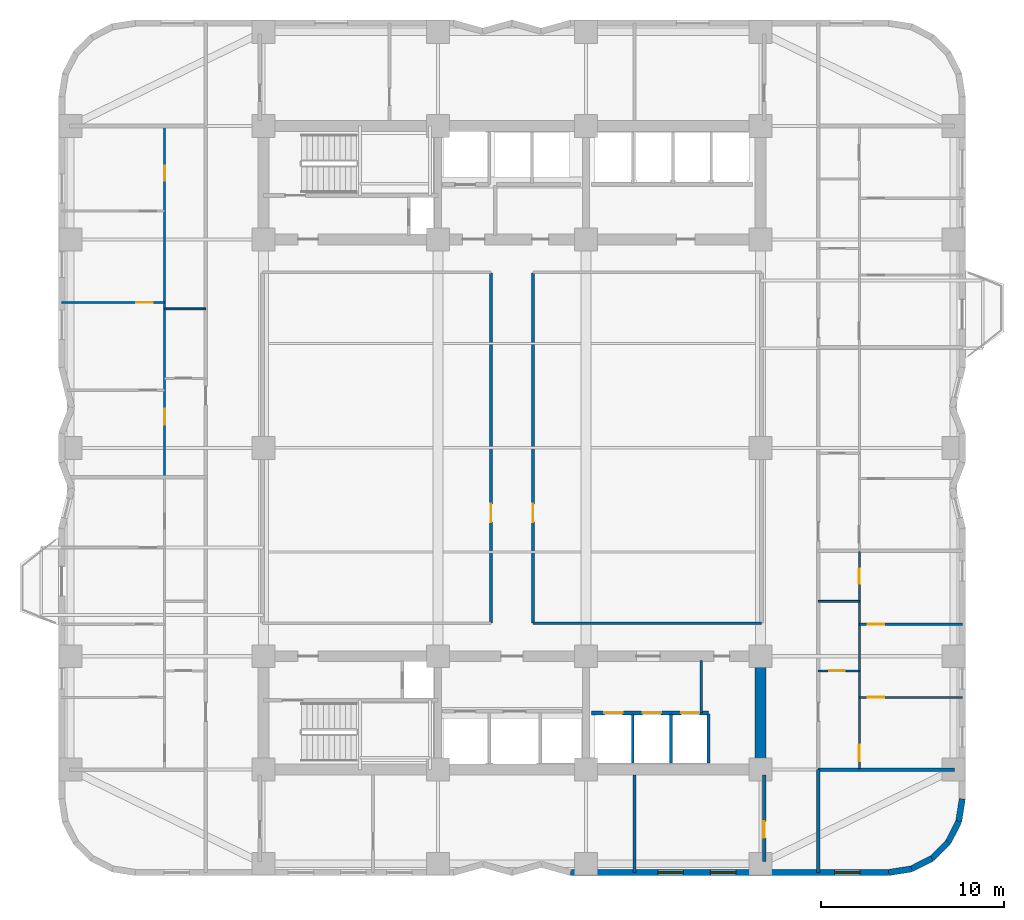
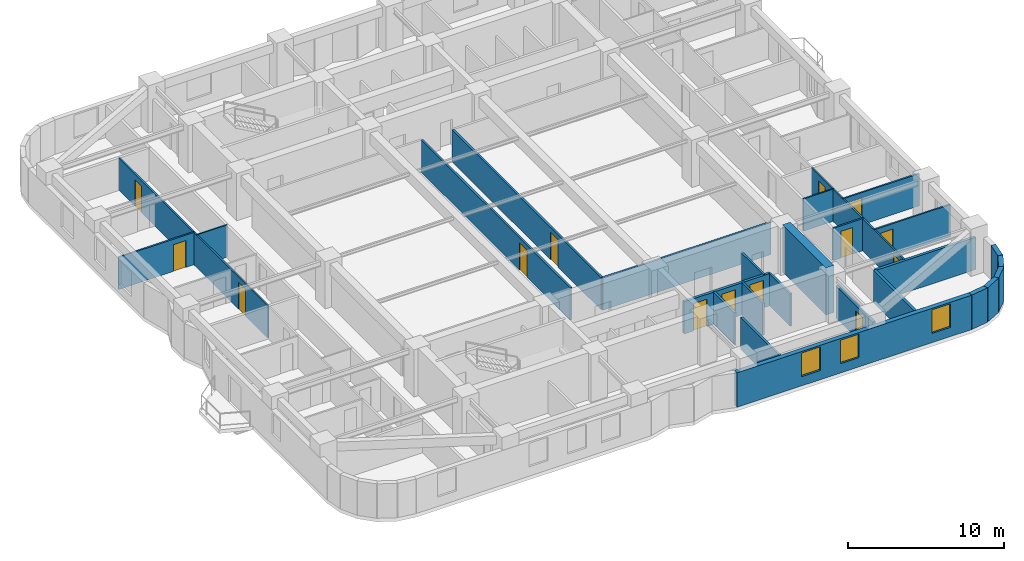
# One storey, part 4 of 9: 27 walls, 14 doors, 3 windows, 17 openings.
"""IFC4 building model written with IfcOpenShell, lengths in metres."""

from ifc_helpers import new_model, si_unit, direction, frame, frame_2d, origin, place, context, subcontext, project, spatial, rectangle, extrude, material, layer, layer_set, type_object, element, fill, save


model = new_model("IFC4")

# Units and contexts
model_context = context("Model", 3, precision=1e-05, world=origin(), true_north=direction((0.0, 1.0)))
body_context = subcontext(model_context, "Body", "Model", "MODEL_VIEW")
ifc_project = project(units=[si_unit("LENGTHUNIT", "METRE"), si_unit("AREAUNIT", "SQUARE_METRE"), si_unit("VOLUMEUNIT", "CUBIC_METRE"), si_unit("PLANEANGLEUNIT", "RADIAN"), si_unit("MASSUNIT", "GRAM", prefix="KILO")], contexts=[model_context])

# Site, building, storey
site_placement = place(None, origin())
site = spatial("IfcSite", under=ifc_project, at=site_placement, CompositionType="ELEMENT")
building_placement = place(site_placement, origin())
building = spatial("IfcBuilding", under=site, at=building_placement, Name="Svetorya Sky Lyceum", CompositionType="ELEMENT")
storey_placement = place(building_placement, frame((0.0, 0.0, 32.5)))
storey = spatial("IfcBuildingStorey", under=building, at=storey_placement, Name="L07", CompositionType="ELEMENT", Elevation=32.5)

# Wall
ifc_material_1 = material(Name="Concrete C60/75", Category="concrete")
ifc_layer_1 = layer(ifc_material_1, 0.60009765625)
ifc_layer_set_1 = layer_set([ifc_layer_1], Name="Concrete C60/75")
wall_type_1 = type_object("IfcWallType", Name="WL-CORE-600", PredefinedType="SHEAR", material=ifc_layer_set_1)
wall_1_placement = place(storey_placement, frame((52.800048828125, 10.89990234375, 0.0), z_axis=(0.0, 0.0, 1.0), x_axis=(0.0, 1.0, 0.0)))
element("IfcWall", 1, at=wall_1_placement, inside=storey, type_object=wall_type_1, Name="L07 SC East Core Shear Wall", PredefinedType="SHEAR", context=body_context, shape_type="SweptSolid", body=[
    extrude(rectangle(XDim=5.60009765625, YDim=0.60009765625, at=frame_2d((2.800048828125, 0.0))), origin(), (0.0, 0.0, 1.0), 3.699951171875),
])

# Wall, openings, windows
ifc_material_2 = material(Name="Putilovo limestone rainscreen on autoclaved cellular masonry", Category="masonry")
ifc_layer_2 = layer(ifc_material_2, 0.340087890625)
ifc_layer_set_2 = layer_set([ifc_layer_2], Name="Putilovo limestone rainscreen on autoclaved cellular masonry")
wall_type_2 = type_object("IfcWallType", Name="WL-EXT-340", PredefinedType="SOLIDWALL", material=ifc_layer_set_2)
wall_2_placement = place(storey_placement, frame((42.39990234375, 4.969970703125, 0.0), z_axis=(0.0, 0.0, 1.0), x_axis=(1.0, 0.0, 0.0)))
wall_2 = element("IfcWall", 2, at=wall_2_placement, inside=storey, type_object=wall_type_2, Name="L07 Limestone Exterior Wall 11M", PredefinedType="SOLIDWALL", context=body_context, shape_type="SweptSolid", body=[
    extrude(rectangle(XDim=17.400146484375, YDim=0.340087890625, at=frame_2d((8.7001953125, 0.0))), origin(), (0.0, 0.0, 1.0), 2.699951171875),
])
opening_1_placement = place(wall_2_placement, frame((4.780029296875, 0.0, 0.72998046875)))
opening_1 = element("IfcOpeningElement", 3, at=opening_1_placement, cuts=wall_2, Name="Opening W-R2", PredefinedType="OPENING", context=body_context, shape_type="SweptSolid", body=[
    extrude(rectangle(XDim=1.39990234375, YDim=1.85009765625, at=frame_2d((0.699951171875, 0.925048828125))), frame((0.0, 0.179931640625, 0.0), z_axis=(0.0, -1.0, 0.0), x_axis=(1.0, 0.0, 0.0)), (0.0, 0.0, 1.0), 0.360107421875),
])
opening_2_placement = place(wall_2_placement, frame((7.64990234375, 0.0, 0.72998046875)))
opening_2 = element("IfcOpeningElement", 4, at=opening_2_placement, cuts=wall_2, Name="Opening W-R2", PredefinedType="OPENING", context=body_context, shape_type="SweptSolid", body=[
    extrude(rectangle(XDim=1.39990234375, YDim=1.85009765625, at=frame_2d((0.699951171875, 0.925048828125))), frame((0.0, 0.179931640625, 0.0), z_axis=(0.0, -1.0, 0.0), x_axis=(1.0, 0.0, 0.0)), (0.0, 0.0, 1.0), 0.360107421875),
])
opening_3_placement = place(wall_2_placement, frame((14.43994140625, 0.0, 0.72998046875)))
opening_3 = element("IfcOpeningElement", 5, at=opening_3_placement, cuts=wall_2, Name="Opening W-R2", PredefinedType="OPENING", context=body_context, shape_type="SweptSolid", body=[
    extrude(rectangle(XDim=1.39990234375, YDim=1.85009765625, at=frame_2d((0.699951171875, 0.925048828125))), frame((0.0, 0.179931640625, 0.0), z_axis=(0.0, -1.0, 0.0), x_axis=(1.0, 0.0, 0.0)), (0.0, 0.0, 1.0), 0.360107421875),
])
ifc_material_3 = material(Name="Thermally broken aluminium frame with triple low-E glazing", Category="aluminium")
window_type = type_object("IfcWindowType", Name="WN-RES-140", PartitioningType="SINGLE_PANEL", PredefinedType="WINDOW", material=ifc_material_3)
window_1_placement = place(opening_1_placement, origin())
window_1 = element("IfcWindow", 6, at=window_1_placement, inside=storey, type_object=window_type, Name="L07 Facade Window W-R2.11M.1", OverallHeight=1.85009765625, OverallWidth=1.39990234375, PartitioningType="SINGLE_PANEL", PredefinedType="WINDOW", context=body_context, shape_type="SweptSolid", body=[
    extrude(rectangle(XDim=1.39990234375, YDim=1.85009765625, at=frame_2d((0.699951171875, 0.925048828125))), frame((0.0, 0.030029296875, 0.0), z_axis=(0.0, -1.0, 0.0), x_axis=(1.0, 0.0, 0.0)), (0.0, 0.0, 1.0), 0.06005859375),
])
fill(opening_1, window_1)
window_2_placement = place(opening_2_placement, origin())
window_2 = element("IfcWindow", 7, at=window_2_placement, inside=storey, type_object=window_type, Name="L07 Facade Window W-R2.11M.2", OverallHeight=1.85009765625, OverallWidth=1.39990234375, PartitioningType="SINGLE_PANEL", PredefinedType="WINDOW", context=body_context, shape_type="SweptSolid", body=[
    extrude(rectangle(XDim=1.39990234375, YDim=1.85009765625, at=frame_2d((0.699951171875, 0.925048828125))), frame((0.0, 0.030029296875, 0.0), z_axis=(0.0, -1.0, 0.0), x_axis=(1.0, 0.0, 0.0)), (0.0, 0.0, 1.0), 0.06005859375),
])
fill(opening_2, window_2)
window_3_placement = place(opening_3_placement, origin())
window_3 = element("IfcWindow", 8, at=window_3_placement, inside=storey, type_object=window_type, Name="L07 Facade Window W-R2.11M.3", OverallHeight=1.85009765625, OverallWidth=1.39990234375, PartitioningType="SINGLE_PANEL", PredefinedType="WINDOW", context=body_context, shape_type="SweptSolid", body=[
    extrude(rectangle(XDim=1.39990234375, YDim=1.85009765625, at=frame_2d((0.699951171875, 0.925048828125))), frame((0.0, 0.030029296875, 0.0), z_axis=(0.0, -1.0, 0.0), x_axis=(1.0, 0.0, 0.0)), (0.0, 0.0, 1.0), 0.06005859375),
])
fill(opening_3, window_3)

# Walls
wall_3_placement = place(storey_placement, frame((59.800048828125, 4.969970703125, 0.0), z_axis=(0.0, 0.0, 1.0), x_axis=(0.987685918112, 0.15644975923, 0.0)))
element("IfcWall", 9, at=wall_3_placement, inside=storey, type_object=wall_type_2, Name="L07 Limestone Exterior Wall 12M", PredefinedType="SOLIDWALL", context=body_context, shape_type="SweptSolid", body=[
    extrude(rectangle(XDim=1.260986328125, YDim=0.340087890625, at=frame_2d((0.63037109375, 0.0))), origin(), (0.0, 0.0, 1.0), 2.699951171875),
])
for number, where, z_axis, x_axis, name in (
    (10, (61.04541015625, 5.167236328125, 0.0), (0.0, 0.0, 1.0), (0.890953769915, 0.454094020963, 0.0), "L07 Limestone Exterior Wall 13M"),
    (11, (62.168701171875, 5.73974609375, 0.0), (0.0, 0.0, 1.0), (0.707203598708, 0.707009950407, 0.0), "L07 Limestone Exterior Wall 14M"),
):
    element("IfcWall", number, at=place(storey_placement, frame(where, z_axis=z_axis, x_axis=x_axis)), inside=storey, type_object=wall_type_2, Name=name, PredefinedType="SOLIDWALL", context=body_context, shape_type="SweptSolid", body=[
        extrude(rectangle(XDim=1.2607421875, YDim=0.340087890625, at=frame_2d((0.63037109375, 0.0))), origin(), (0.0, 0.0, 1.0), 2.699951171875),
    ])
for number, where, z_axis, x_axis, name in (
    (12, (63.060302734375, 6.631103515625, 0.0), (0.0, 0.0, 1.0), (0.454015689056, 0.890993689142, 0.0), "L07 Limestone Exterior Wall 15M"),
    (13, (63.6328125, 7.754638671875, 0.0), (0.0, 0.0, 1.0), (0.15644975923, 0.987685918112, 0.0), "L07 Limestone Exterior Wall 16M"),
):
    element("IfcWall", number, at=place(storey_placement, frame(where, z_axis=z_axis, x_axis=x_axis)), inside=storey, type_object=wall_type_2, Name=name, PredefinedType="SOLIDWALL", context=body_context, shape_type="SweptSolid", body=[
        extrude(rectangle(XDim=1.260986328125, YDim=0.340087890625, at=frame_2d((0.63037109375, 0.0))), origin(), (0.0, 0.0, 1.0), 2.699951171875),
    ])
ifc_material_4 = material(Name="Galvanized stud partition with moisture-resistant board", Category="gypsum")
ifc_layer_3 = layer(ifc_material_4, 0.10009765625)
ifc_layer_set_3 = layer_set([ifc_layer_3], Name="Galvanized stud partition with moisture-resistant board")
wall_type_3 = type_object("IfcWallType", Name="WL-PART-100", PredefinedType="PARTITIONING", material=ifc_layer_set_3)
for number, where, z_axis, x_axis, name in (
    (14, (20.199951171875, 35.800048828125, 0.0), (0.0, 0.0, 1.0), (1.0, 0.0, 0.0), "L07 Interior Partition W2-WH2"),
    (15, (55.949951171875, 19.800048828125, 0.0), (0.0, 0.0, 1.0), (1.0, 0.0, 0.0), "L07 Interior Partition E1-WH2"),
):
    element("IfcWall", number, at=place(storey_placement, frame(where, z_axis=z_axis, x_axis=x_axis)), inside=storey, type_object=wall_type_3, Name=name, PredefinedType="PARTITIONING", context=body_context, shape_type="SweptSolid", body=[
        extrude(rectangle(XDim=2.25, YDim=0.10009765625, at=frame_2d((1.125, 0.0))), origin(), (0.0, 0.0, 1.0), 2.530029296875),
    ])

# Wall, opening, door
ifc_material_5 = material(Name="Twin-stud galvanized framing with double fireboard", Category="gypsum")
ifc_layer_4 = layer(ifc_material_5, 0.1201171875)
ifc_layer_set_4 = layer_set([ifc_layer_4], Name="Twin-stud galvanized framing with double fireboard")
wall_type_4 = type_object("IfcWallType", Name="WL-PART-120", PredefinedType="PARTITIONING", material=ifc_layer_set_4)
wall_4_placement = place(storey_placement, frame((14.570068359375, 36.14990234375, 0.0), z_axis=(0.0, 0.0, 1.0), x_axis=(1.0, 0.0, 0.0)))
wall_4 = element("IfcWall", 16, at=wall_4_placement, inside=storey, type_object=wall_type_4, Name="L07 Interior Partition W2-WL2", PredefinedType="PARTITIONING", context=body_context, shape_type="SweptSolid", body=[
    extrude(rectangle(XDim=5.6298828125, YDim=0.1201171875, at=frame_2d((2.81494140625, 0.0))), origin(), (0.0, 0.0, 1.0), 2.530029296875),
])
opening_4_placement = place(wall_4_placement, frame((4.080078125, 0.0, 0.0)))
opening_4 = element("IfcOpeningElement", 17, at=opening_4_placement, cuts=wall_4, Name="Opening D-RM1", PredefinedType="OPENING", context=body_context, shape_type="SweptSolid", body=[
    extrude(rectangle(XDim=0.89990234375, YDim=2.10009765625, at=frame_2d((0.449951171875, 1.050048828125))), frame((0.0, 0.070068359375, 0.0), z_axis=(0.0, -1.0, 0.0), x_axis=(1.0, 0.0, 0.0)), (0.0, 0.0, 1.0), 0.14013671875),
])
ifc_material_6 = material(Name="Lacquered birch veneer internal door")
door_type_1 = type_object("IfcDoorType", Name="DR-INT-900", OperationType="SINGLE_SWING_LEFT", PredefinedType="DOOR", material=ifc_material_6)
door_1_placement = place(opening_4_placement, origin())
door_1 = element("IfcDoor", 18, at=door_1_placement, inside=storey, type_object=door_type_1, Name="Apartment W2 Bedroom 2 Door", OperationType="SINGLE_SWING_LEFT", OverallHeight=2.10009765625, OverallWidth=0.89990234375, PredefinedType="DOOR", context=body_context, shape_type="SweptSolid", body=[
    extrude(rectangle(XDim=0.89990234375, YDim=2.10009765625, at=frame_2d((0.449951171875, 1.050048828125))), frame((0.0, 0.02490234375, 0.0), z_axis=(0.0, -1.0, 0.0), x_axis=(1.0, 0.0, 0.0)), (0.0, 0.0, 1.0), 0.050048828125),
])
fill(opening_4, door_1)

# Wall, openings, doors
wall_5_placement = place(storey_placement, frame((20.199951171875, 26.639892578125, 0.0), z_axis=(0.0, 0.0, 1.0), x_axis=(0.0, 1.0, 0.0)))
wall_5 = element("IfcWall", 19, at=wall_5_placement, inside=storey, type_object=wall_type_4, Name="L07 Interior Partition W2-WV", PredefinedType="PARTITIONING", context=body_context, shape_type="SweptSolid", body=[
    extrude(rectangle(XDim=19.1201171875, YDim=0.1201171875, at=frame_2d((9.56005859375, 0.0))), origin(), (0.0, 0.0, 1.0), 2.530029296875),
])
opening_5_placement = place(wall_5_placement, frame((2.81005859375, 0.0, 0.0)))
opening_5 = element("IfcOpeningElement", 20, at=opening_5_placement, cuts=wall_5, Name="Opening D-RM1", PredefinedType="OPENING", context=body_context, shape_type="SweptSolid", body=[
    extrude(rectangle(XDim=0.89990234375, YDim=2.10009765625, at=frame_2d((0.449951171875, 1.050048828125))), frame((0.0, 0.070068359375, 0.0), z_axis=(0.0, -1.0, 0.0), x_axis=(1.0, 0.0, 0.0)), (0.0, 0.0, 1.0), 0.14013671875),
])
opening_6_placement = place(wall_5_placement, frame((16.179931640625, 0.0, 0.0)))
opening_6 = element("IfcOpeningElement", 21, at=opening_6_placement, cuts=wall_5, Name="Opening D-BT2", PredefinedType="OPENING", context=body_context, shape_type="SweptSolid", body=[
    extrude(rectangle(XDim=0.820068359375, YDim=2.080078125, at=frame_2d((0.41015625, 1.0400390625))), frame((0.0, 0.070068359375, 0.0), z_axis=(0.0, -1.0, 0.0), x_axis=(1.0, 0.0, 0.0)), (0.0, 0.0, 1.0), 0.14013671875),
])
door_2_placement = place(opening_5_placement, origin())
door_2 = element("IfcDoor", 22, at=door_2_placement, inside=storey, type_object=door_type_1, Name="Apartment W2 Living Door", OperationType="SINGLE_SWING_LEFT", OverallHeight=2.10009765625, OverallWidth=0.89990234375, PredefinedType="DOOR", context=body_context, shape_type="SweptSolid", body=[
    extrude(rectangle(XDim=0.89990234375, YDim=2.10009765625, at=frame_2d((0.449951171875, 1.050048828125))), frame((0.0, 0.02490234375, 0.0), z_axis=(0.0, -1.0, 0.0), x_axis=(1.0, 0.0, 0.0)), (0.0, 0.0, 1.0), 0.050048828125),
])
fill(opening_5, door_2)
ifc_material_7 = material(Name="Compact moisture-resistant laminate closet door")
door_type_2 = type_object("IfcDoorType", Name="DR-WET-820", OperationType="SINGLE_SWING_LEFT", PredefinedType="DOOR", material=ifc_material_7)
door_3_placement = place(opening_6_placement, origin())
door_3 = element("IfcDoor", 23, at=door_3_placement, inside=storey, type_object=door_type_2, Name="Apartment W2 Study Door", OperationType="SINGLE_SWING_RIGHT", OverallHeight=2.080078125, OverallWidth=0.820068359375, PredefinedType="DOOR", context=body_context, shape_type="SweptSolid", body=[
    extrude(rectangle(XDim=0.820068359375, YDim=2.080078125, at=frame_2d((0.41015625, 1.0400390625))), frame((0.0, 0.02490234375, 0.0), z_axis=(0.0, -1.0, 0.0), x_axis=(1.0, 0.0, 0.0)), (0.0, 0.0, 1.0), 0.050048828125),
])
fill(opening_6, door_3)

# Wall, opening, door
wall_6_placement = place(storey_placement, frame((55.949951171875, 16.0, 0.0), z_axis=(0.0, 0.0, 1.0), x_axis=(1.0, 0.0, 0.0)))
wall_6 = element("IfcWall", 24, at=wall_6_placement, inside=storey, type_object=wall_type_4, Name="L07 Interior Partition E1-WH1", PredefinedType="PARTITIONING", context=body_context, shape_type="SweptSolid", body=[
    extrude(rectangle(XDim=2.25, YDim=0.1201171875, at=frame_2d((1.125, 0.0))), origin(), (0.0, 0.0, 1.0), 2.530029296875),
])
opening_7_placement = place(wall_6_placement, frame((0.60009765625, 0.0, 0.0)))
opening_7 = element("IfcOpeningElement", 25, at=opening_7_placement, cuts=wall_6, Name="Opening D-BT1", PredefinedType="OPENING", context=body_context, shape_type="SweptSolid", body=[
    extrude(rectangle(XDim=0.85009765625, YDim=2.10009765625, at=frame_2d((0.425048828125, 1.050048828125))), frame((0.0, 0.070068359375, 0.0), z_axis=(0.0, -1.0, 0.0), x_axis=(1.0, 0.0, 0.0)), (0.0, 0.0, 1.0), 0.14013671875),
])
ifc_material_8 = material(Name="Moisture-resistant laminate bathroom door")
door_type_3 = type_object("IfcDoorType", Name="DR-WET-850", OperationType="SINGLE_SWING_LEFT", PredefinedType="DOOR", material=ifc_material_8)
door_4_placement = place(opening_7_placement, origin())
door_4 = element("IfcDoor", 26, at=door_4_placement, inside=storey, type_object=door_type_3, Name="Apartment E1 Bathroom Door", OperationType="SINGLE_SWING_RIGHT", OverallHeight=2.10009765625, OverallWidth=0.85009765625, PredefinedType="DOOR", context=body_context, shape_type="SweptSolid", body=[
    extrude(rectangle(XDim=0.85009765625, YDim=2.10009765625, at=frame_2d((0.425048828125, 1.050048828125))), frame((0.0, 0.02490234375, 0.0), z_axis=(0.0, -1.0, 0.0), x_axis=(1.0, 0.0, 0.0)), (0.0, 0.0, 1.0), 0.050048828125),
])
fill(opening_7, door_4)

wall_7_placement = place(storey_placement, frame((58.199951171875, 14.550048828125, 0.0), z_axis=(0.0, 0.0, 1.0), x_axis=(1.0, 0.0, 0.0)))
wall_7 = element("IfcWall", 27, at=wall_7_placement, inside=storey, type_object=wall_type_4, Name="L07 Interior Partition E1-WL1", PredefinedType="PARTITIONING", context=body_context, shape_type="SweptSolid", body=[
    extrude(rectangle(XDim=5.630126953125, YDim=0.1201171875, at=frame_2d((2.81494140625, 0.0))), origin(), (0.0, 0.0, 1.0), 2.530029296875),
])
opening_8_placement = place(wall_7_placement, frame((0.449951171875, 0.0, 0.0)))
opening_8 = element("IfcOpeningElement", 28, at=opening_8_placement, cuts=wall_7, Name="Opening D-RM1", PredefinedType="OPENING", context=body_context, shape_type="SweptSolid", body=[
    extrude(rectangle(XDim=0.89990234375, YDim=2.10009765625, at=frame_2d((0.449951171875, 1.050048828125))), frame((0.0, 0.070068359375, 0.0), z_axis=(0.0, -1.0, 0.0), x_axis=(1.0, 0.0, 0.0)), (0.0, 0.0, 1.0), 0.14013671875),
])
door_5_placement = place(opening_8_placement, origin())
door_5 = element("IfcDoor", 29, at=door_5_placement, inside=storey, type_object=door_type_1, Name="Apartment E1 Master Bedroom Door", OperationType="SINGLE_SWING_RIGHT", OverallHeight=2.10009765625, OverallWidth=0.89990234375, PredefinedType="DOOR", context=body_context, shape_type="SweptSolid", body=[
    extrude(rectangle(XDim=0.89990234375, YDim=2.10009765625, at=frame_2d((0.449951171875, 1.050048828125))), frame((0.0, 0.02490234375, 0.0), z_axis=(0.0, -1.0, 0.0), x_axis=(1.0, 0.0, 0.0)), (0.0, 0.0, 1.0), 0.050048828125),
])
fill(opening_8, door_5)

wall_8_placement = place(storey_placement, frame((58.199951171875, 18.550048828125, 0.0), z_axis=(0.0, 0.0, 1.0), x_axis=(1.0, 0.0, 0.0)))
wall_8 = element("IfcWall", 30, at=wall_8_placement, inside=storey, type_object=wall_type_4, Name="L07 Interior Partition E1-WL2", PredefinedType="PARTITIONING", context=body_context, shape_type="SweptSolid", body=[
    extrude(rectangle(XDim=5.630126953125, YDim=0.1201171875, at=frame_2d((2.81494140625, 0.0))), origin(), (0.0, 0.0, 1.0), 2.530029296875),
])
opening_9_placement = place(wall_8_placement, frame((0.449951171875, 0.0, 0.0)))
opening_9 = element("IfcOpeningElement", 31, at=opening_9_placement, cuts=wall_8, Name="Opening D-RM1", PredefinedType="OPENING", context=body_context, shape_type="SweptSolid", body=[
    extrude(rectangle(XDim=0.89990234375, YDim=2.10009765625, at=frame_2d((0.449951171875, 1.050048828125))), frame((0.0, 0.070068359375, 0.0), z_axis=(0.0, -1.0, 0.0), x_axis=(1.0, 0.0, 0.0)), (0.0, 0.0, 1.0), 0.14013671875),
])
door_6_placement = place(opening_9_placement, origin())
door_6 = element("IfcDoor", 32, at=door_6_placement, inside=storey, type_object=door_type_1, Name="Apartment E1 Bedroom 2 Door", OperationType="SINGLE_SWING_LEFT", OverallHeight=2.10009765625, OverallWidth=0.89990234375, PredefinedType="DOOR", context=body_context, shape_type="SweptSolid", body=[
    extrude(rectangle(XDim=0.89990234375, YDim=2.10009765625, at=frame_2d((0.449951171875, 1.050048828125))), frame((0.0, 0.02490234375, 0.0), z_axis=(0.0, -1.0, 0.0), x_axis=(1.0, 0.0, 0.0)), (0.0, 0.0, 1.0), 0.050048828125),
])
fill(opening_9, door_6)

# Wall, openings, doors
wall_9_placement = place(storey_placement, frame((58.199951171875, 10.639892578125, 0.0), z_axis=(0.0, 0.0, 1.0), x_axis=(0.0, 1.0, 0.0)))
wall_9 = element("IfcWall", 33, at=wall_9_placement, inside=storey, type_object=wall_type_4, Name="L07 Interior Partition E1-WV", PredefinedType="PARTITIONING", context=body_context, shape_type="SweptSolid", body=[
    extrude(rectangle(XDim=11.88818359375, YDim=0.1201171875, at=frame_2d((5.944091796875, 0.0))), origin(), (0.0, 0.0, 1.0), 2.530029296875),
])
opening_10_placement = place(wall_9_placement, frame((0.409912109375, 0.0, 0.0)))
opening_10 = element("IfcOpeningElement", 34, at=opening_10_placement, cuts=wall_9, Name="Opening D-RM1", PredefinedType="OPENING", context=body_context, shape_type="SweptSolid", body=[
    extrude(rectangle(XDim=0.89990234375, YDim=2.10009765625, at=frame_2d((0.449951171875, 1.050048828125))), frame((0.0, 0.070068359375, 0.0), z_axis=(0.0, -1.0, 0.0), x_axis=(1.0, 0.0, 0.0)), (0.0, 0.0, 1.0), 0.14013671875),
])
opening_11_placement = place(wall_9_placement, frame((10.118896484375, 0.0, 0.0)))
opening_11 = element("IfcOpeningElement", 35, at=opening_11_placement, cuts=wall_9, Name="Opening D-BT2", PredefinedType="OPENING", context=body_context, shape_type="SweptSolid", body=[
    extrude(rectangle(XDim=0.820068359375, YDim=2.080078125, at=frame_2d((0.41015625, 1.0400390625))), frame((0.0, 0.070068359375, 0.0), z_axis=(0.0, -1.0, 0.0), x_axis=(1.0, 0.0, 0.0)), (0.0, 0.0, 1.0), 0.14013671875),
])
door_7_placement = place(opening_10_placement, origin())
door_7 = element("IfcDoor", 36, at=door_7_placement, inside=storey, type_object=door_type_1, Name="Apartment E1 Living Door", OperationType="SINGLE_SWING_LEFT", OverallHeight=2.10009765625, OverallWidth=0.89990234375, PredefinedType="DOOR", context=body_context, shape_type="SweptSolid", body=[
    extrude(rectangle(XDim=0.89990234375, YDim=2.10009765625, at=frame_2d((0.449951171875, 1.050048828125))), frame((0.0, 0.02490234375, 0.0), z_axis=(0.0, -1.0, 0.0), x_axis=(1.0, 0.0, 0.0)), (0.0, 0.0, 1.0), 0.050048828125),
])
fill(opening_10, door_7)
door_8_placement = place(opening_11_placement, origin())
door_8 = element("IfcDoor", 37, at=door_8_placement, inside=storey, type_object=door_type_2, Name="Apartment E1 Study Door", OperationType="SINGLE_SWING_RIGHT", OverallHeight=2.080078125, OverallWidth=0.820068359375, PredefinedType="DOOR", context=body_context, shape_type="SweptSolid", body=[
    extrude(rectangle(XDim=0.820068359375, YDim=2.080078125, at=frame_2d((0.41015625, 1.0400390625))), frame((0.0, 0.02490234375, 0.0), z_axis=(0.0, -1.0, 0.0), x_axis=(1.0, 0.0, 0.0)), (0.0, 0.0, 1.0), 0.050048828125),
])
fill(opening_11, door_8)

# Walls
ifc_material_9 = material(Name="Autoclaved cellular masonry blockwork with acoustic render", Category="masonry")
ifc_layer_5 = layer(ifc_material_9, 0.14990234375)
ifc_layer_set_5 = layer_set([ifc_layer_5], Name="Autoclaved cellular masonry blockwork with acoustic render")
wall_type_5 = type_object("IfcWallType", Name="WL-PART-150", PredefinedType="PARTITIONING", material=ifc_layer_set_5)
for number, where, z_axis, x_axis, name in (
    (38, (45.800048828125, 10.949951171875, 0.0), (0.0, 0.0, 1.0), (0.0, 1.0, 0.0), "L07 Interior Partition SC-PL-DIV1"),
    (39, (47.89990234375, 10.949951171875, 0.0), (0.0, 0.0, 1.0), (0.0, 1.0, 0.0), "L07 Interior Partition SC-PL-DIV2"),
    (40, (49.949951171875, 10.949951171875, 0.0), (0.0, 0.0, 1.0), (0.0, 1.0, 0.0), "L07 Interior Partition SC-PL-END"),
):
    element("IfcWall", number, at=place(storey_placement, frame(where, z_axis=z_axis, x_axis=x_axis)), inside=storey, type_object=wall_type_5, Name=name, PredefinedType="PARTITIONING", context=body_context, shape_type="SweptSolid", body=[
        extrude(rectangle(XDim=2.699951171875, YDim=0.14990234375, at=frame_2d((1.35009765625, 0.0))), origin(), (0.0, 0.0, 1.0), 2.530029296875),
    ])
wall_10_placement = place(storey_placement, frame((49.550048828125, 13.699951171875, 0.0), z_axis=(0.0, 0.0, 1.0), x_axis=(0.0, 1.0, 0.0)))
element("IfcWall", 41, at=wall_10_placement, inside=storey, type_object=wall_type_5, Name="L07 Interior Partition SC-AUX-V", PredefinedType="PARTITIONING", context=body_context, shape_type="SweptSolid", body=[
    extrude(rectangle(XDim=2.880126953125, YDim=0.14990234375, at=frame_2d((1.43994140625, 0.0))), origin(), (0.0, 0.0, 1.0), 2.530029296875),
])
wall_11_placement = place(storey_placement, frame((40.35009765625, 18.60009765625, 0.0), z_axis=(0.0, 0.0, 1.0), x_axis=(1.0, 0.0, 0.0)))
element("IfcWall", 42, at=wall_11_placement, inside=storey, type_object=wall_type_5, Name="L07 Interior Partition CS-MID-E", PredefinedType="PARTITIONING", context=body_context, shape_type="SweptSolid", body=[
    extrude(rectangle(XDim=12.5, YDim=0.14990234375, at=frame_2d((6.25, 0.0))), origin(), (0.0, 0.0, 1.0), 2.530029296875),
])

# Wall, opening, door
wall_12_placement = place(storey_placement, frame((38.050048828125, 18.6298828125, 0.0), z_axis=(0.0, 0.0, 1.0), x_axis=(0.0, 1.0, 0.0)))
wall_12 = element("IfcWall", 43, at=wall_12_placement, inside=storey, type_object=wall_type_5, Name="L07 Interior Partition CEN-VW", PredefinedType="PARTITIONING", context=body_context, shape_type="SweptSolid", body=[
    extrude(rectangle(XDim=19.14013671875, YDim=0.14990234375, at=frame_2d((9.570068359375, 0.0))), origin(), (0.0, 0.0, 1.0), 2.530029296875),
])
opening_12_placement = place(wall_12_placement, frame((5.5, 0.0, 0.0)))
opening_12 = element("IfcOpeningElement", 44, at=opening_12_placement, cuts=wall_12, Name="Opening D-RM2", PredefinedType="OPENING", context=body_context, shape_type="SweptSolid", body=[
    extrude(rectangle(XDim=1.0, YDim=2.14990234375, at=frame_2d((0.5, 1.074951171875))), frame((0.0, 0.0849609375, 0.0), z_axis=(0.0, -1.0, 0.0), x_axis=(1.0, 0.0, 0.0)), (0.0, 0.0, 1.0), 0.169921875),
])
ifc_material_10 = material(Name="Solid-core oak acoustic room door")
door_type_4 = type_object("IfcDoorType", Name="DR-INT-1000", OperationType="SINGLE_SWING_LEFT", PredefinedType="DOOR", material=ifc_material_10)
door_9_placement = place(opening_12_placement, origin())
door_9 = element("IfcDoor", 45, at=door_9_placement, inside=storey, type_object=door_type_4, Name="L07 Seminar Door", OperationType="SINGLE_SWING_LEFT", OverallHeight=2.14990234375, OverallWidth=1.0, PredefinedType="DOOR", context=body_context, shape_type="SweptSolid", body=[
    extrude(rectangle(XDim=1.0, YDim=2.14990234375, at=frame_2d((0.5, 1.074951171875))), frame((0.0, 0.02490234375, 0.0), z_axis=(0.0, -1.0, 0.0), x_axis=(1.0, 0.0, 0.0)), (0.0, 0.0, 1.0), 0.050048828125),
])
fill(opening_12, door_9)

wall_13_placement = place(storey_placement, frame((40.35009765625, 18.6298828125, 0.0), z_axis=(0.0, 0.0, 1.0), x_axis=(0.0, 1.0, 0.0)))
wall_13 = element("IfcWall", 46, at=wall_13_placement, inside=storey, type_object=wall_type_5, Name="L07 Interior Partition CEN-VE", PredefinedType="PARTITIONING", context=body_context, shape_type="SweptSolid", body=[
    extrude(rectangle(XDim=19.14013671875, YDim=0.14990234375, at=frame_2d((9.570068359375, 0.0))), origin(), (0.0, 0.0, 1.0), 2.530029296875),
])
opening_13_placement = place(wall_13_placement, frame((5.5, 0.0, 0.0)))
opening_13 = element("IfcOpeningElement", 47, at=opening_13_placement, cuts=wall_13, Name="Opening D-RM2", PredefinedType="OPENING", context=body_context, shape_type="SweptSolid", body=[
    extrude(rectangle(XDim=1.0, YDim=2.14990234375, at=frame_2d((0.5, 1.074951171875))), frame((0.0, 0.0849609375, 0.0), z_axis=(0.0, -1.0, 0.0), x_axis=(1.0, 0.0, 0.0)), (0.0, 0.0, 1.0), 0.169921875),
])
door_10_placement = place(opening_13_placement, origin())
door_10 = element("IfcDoor", 48, at=door_10_placement, inside=storey, type_object=door_type_4, Name="L07 Wellness Door", OperationType="SINGLE_SWING_RIGHT", OverallHeight=2.14990234375, OverallWidth=1.0, PredefinedType="DOOR", context=body_context, shape_type="SweptSolid", body=[
    extrude(rectangle(XDim=1.0, YDim=2.14990234375, at=frame_2d((0.5, 1.074951171875))), frame((0.0, 0.02490234375, 0.0), z_axis=(0.0, -1.0, 0.0), x_axis=(1.0, 0.0, 0.0)), (0.0, 0.0, 1.0), 0.050048828125),
])
fill(opening_13, door_10)

# Wall
wall_14_placement = place(storey_placement, frame((45.89990234375, 4.969970703125, 0.0), z_axis=(0.0, 0.0, 1.0), x_axis=(0.0, 1.0, 0.0)))
element("IfcWall", 49, at=wall_14_placement, inside=storey, type_object=wall_type_5, Name="L07 Interior Partition S-D2", PredefinedType="PARTITIONING", context=body_context, shape_type="SweptSolid", body=[
    extrude(rectangle(XDim=5.330078125, YDim=0.14990234375, at=frame_2d((2.6650390625, 0.0))), origin(), (0.0, 0.0, 1.0), 2.530029296875),
])

# Wall, openings, doors
ifc_material_11 = material(Name="Autoclaved cellular masonry blockwork with gypsum plaster", Category="masonry")
ifc_layer_6 = layer(ifc_material_11, 0.199951171875)
ifc_layer_set_6 = layer_set([ifc_layer_6], Name="Autoclaved cellular masonry blockwork with gypsum plaster")
wall_type_6 = type_object("IfcWallType", Name="WL-PART-200", PredefinedType="PARTITIONING", material=ifc_layer_set_6)
wall_15_placement = place(storey_placement, frame((43.550048828125, 13.699951171875, 0.0), z_axis=(0.0, 0.0, 1.0), x_axis=(1.0, 0.0, 0.0)))
wall_15 = element("IfcWall", 50, at=wall_15_placement, inside=storey, type_object=wall_type_6, Name="L07 Interior Partition SC-PLW", PredefinedType="PARTITIONING", context=body_context, shape_type="SweptSolid", body=[
    extrude(rectangle(XDim=6.39990234375, YDim=0.199951171875, at=frame_2d((3.199951171875, 0.0))), origin(), (0.0, 0.0, 1.0), 2.530029296875),
])
opening_14_placement = place(wall_15_placement, frame((0.699951171875, 0.0, 0.0)))
opening_14 = element("IfcOpeningElement", 51, at=opening_14_placement, cuts=wall_15, Name="Opening LD-P1", PredefinedType="OPENING", context=body_context, shape_type="SweptSolid", body=[
    extrude(rectangle(XDim=1.0, YDim=2.14990234375, at=frame_2d((0.5, 1.074951171875))), frame((0.0, 0.10986328125, 0.0), z_axis=(0.0, -1.0, 0.0), x_axis=(1.0, 0.0, 0.0)), (0.0, 0.0, 1.0), 0.219970703125),
])
opening_15_placement = place(wall_15_placement, frame((2.800048828125, 0.0, 0.0)))
opening_15 = element("IfcOpeningElement", 52, at=opening_15_placement, cuts=wall_15, Name="Opening LD-P1", PredefinedType="OPENING", context=body_context, shape_type="SweptSolid", body=[
    extrude(rectangle(XDim=1.0, YDim=2.14990234375, at=frame_2d((0.5, 1.074951171875))), frame((0.0, 0.10986328125, 0.0), z_axis=(0.0, -1.0, 0.0), x_axis=(1.0, 0.0, 0.0)), (0.0, 0.0, 1.0), 0.219970703125),
])
opening_16_placement = place(wall_15_placement, frame((4.89990234375, 0.0, 0.0)))
opening_16 = element("IfcOpeningElement", 53, at=opening_16_placement, cuts=wall_15, Name="Opening LD-P1", PredefinedType="OPENING", context=body_context, shape_type="SweptSolid", body=[
    extrude(rectangle(XDim=1.0, YDim=2.14990234375, at=frame_2d((0.5, 1.074951171875))), frame((0.0, 0.10986328125, 0.0), z_axis=(0.0, -1.0, 0.0), x_axis=(1.0, 0.0, 0.0)), (0.0, 0.0, 1.0), 0.219970703125),
])
ifc_material_12 = material(Name="Champagne-anodized stainless passenger lift landing door")
door_type_5 = type_object("IfcDoorType", Name="DR-LIFT-1000", OperationType="SLIDING_TO_LEFT", PredefinedType="DOOR", material=ifc_material_12)
door_11_placement = place(opening_14_placement, origin())
door_11 = element("IfcDoor", 54, at=door_11_placement, inside=storey, type_object=door_type_5, Name="L07 Passenger Lift PL1 Landing Door", OperationType="SLIDING_TO_LEFT", OverallHeight=2.14990234375, OverallWidth=1.0, PredefinedType="DOOR", context=body_context, shape_type="SweptSolid", body=[
    extrude(rectangle(XDim=1.0, YDim=2.14990234375, at=frame_2d((0.5, 1.074951171875))), frame((0.0, 0.02490234375, 0.0), z_axis=(0.0, -1.0, 0.0), x_axis=(1.0, 0.0, 0.0)), (0.0, 0.0, 1.0), 0.050048828125),
])
fill(opening_14, door_11)
door_12_placement = place(opening_15_placement, origin())
door_12 = element("IfcDoor", 55, at=door_12_placement, inside=storey, type_object=door_type_5, Name="L07 Passenger Lift PL2 Landing Door", OperationType="SLIDING_TO_LEFT", OverallHeight=2.14990234375, OverallWidth=1.0, PredefinedType="DOOR", context=body_context, shape_type="SweptSolid", body=[
    extrude(rectangle(XDim=1.0, YDim=2.14990234375, at=frame_2d((0.5, 1.074951171875))), frame((0.0, 0.02490234375, 0.0), z_axis=(0.0, -1.0, 0.0), x_axis=(1.0, 0.0, 0.0)), (0.0, 0.0, 1.0), 0.050048828125),
])
fill(opening_15, door_12)
door_13_placement = place(opening_16_placement, origin())
door_13 = element("IfcDoor", 56, at=door_13_placement, inside=storey, type_object=door_type_5, Name="L07 Passenger Lift PL3 Landing Door", OperationType="SLIDING_TO_LEFT", OverallHeight=2.14990234375, OverallWidth=1.0, PredefinedType="DOOR", context=body_context, shape_type="SweptSolid", body=[
    extrude(rectangle(XDim=1.0, YDim=2.14990234375, at=frame_2d((0.5, 1.074951171875))), frame((0.0, 0.02490234375, 0.0), z_axis=(0.0, -1.0, 0.0), x_axis=(1.0, 0.0, 0.0)), (0.0, 0.0, 1.0), 0.050048828125),
])
fill(opening_16, door_13)

# Walls
wall_16_placement = place(storey_placement, frame((55.949951171875, 10.60009765625, 0.0), z_axis=(0.0, 0.0, 1.0), x_axis=(1.0, 0.0, 0.0)))
element("IfcWall", 57, at=wall_16_placement, inside=storey, type_object=wall_type_6, Name="L07 Interior Partition E-CAP-S", PredefinedType="PARTITIONING", context=body_context, shape_type="SweptSolid", body=[
    extrude(rectangle(XDim=7.4599609375, YDim=0.199951171875, at=frame_2d((3.72998046875, 0.0))), origin(), (0.0, 0.0, 1.0), 2.530029296875),
])
wall_17_placement = place(storey_placement, frame((55.949951171875, 4.969970703125, 0.0), z_axis=(0.0, 0.0, 1.0), x_axis=(0.0, 1.0, 0.0)))
element("IfcWall", 58, at=wall_17_placement, inside=storey, type_object=wall_type_6, Name="L07 Interior Partition EC-SE-END", PredefinedType="PARTITIONING", context=body_context, shape_type="SweptSolid", body=[
    extrude(rectangle(XDim=5.630126953125, YDim=0.199951171875, at=frame_2d((2.81494140625, 0.0))), origin(), (0.0, 0.0, 1.0), 2.530029296875),
])

# Wall, opening, door
wall_18_placement = place(storey_placement, frame((53.0, 5.570068359375, 0.0), z_axis=(0.0, 0.0, 1.0), x_axis=(0.0, 1.0, 0.0)))
wall_18 = element("IfcWall", 59, at=wall_18_placement, inside=storey, type_object=wall_type_6, Name="L07 Interior Partition S-EE", PredefinedType="PARTITIONING", context=body_context, shape_type="SweptSolid", body=[
    extrude(rectangle(XDim=4.72998046875, YDim=0.199951171875, at=frame_2d((2.364990234375, 0.0))), origin(), (0.0, 0.0, 1.0), 2.530029296875),
])
opening_17_placement = place(wall_18_placement, frame((1.300048828125, 0.0, 0.0)))
opening_17 = element("IfcOpeningElement", 60, at=opening_17_placement, cuts=wall_18, Name="Opening D-RM1", PredefinedType="OPENING", context=body_context, shape_type="SweptSolid", body=[
    extrude(rectangle(XDim=0.89990234375, YDim=2.10009765625, at=frame_2d((0.449951171875, 1.050048828125))), frame((0.0, 0.10986328125, 0.0), z_axis=(0.0, -1.0, 0.0), x_axis=(1.0, 0.0, 0.0)), (0.0, 0.0, 1.0), 0.219970703125),
])
door_14_placement = place(opening_17_placement, origin())
door_14 = element("IfcDoor", 61, at=door_14_placement, inside=storey, type_object=door_type_1, Name="L07 South Focus Door", OperationType="SINGLE_SWING_RIGHT", OverallHeight=2.10009765625, OverallWidth=0.89990234375, PredefinedType="DOOR", context=body_context, shape_type="SweptSolid", body=[
    extrude(rectangle(XDim=0.89990234375, YDim=2.10009765625, at=frame_2d((0.449951171875, 1.050048828125))), frame((0.0, 0.02490234375, 0.0), z_axis=(0.0, -1.0, 0.0), x_axis=(1.0, 0.0, 0.0)), (0.0, 0.0, 1.0), 0.050048828125),
])
fill(opening_17, door_14)

save(model, "model.ifc")
